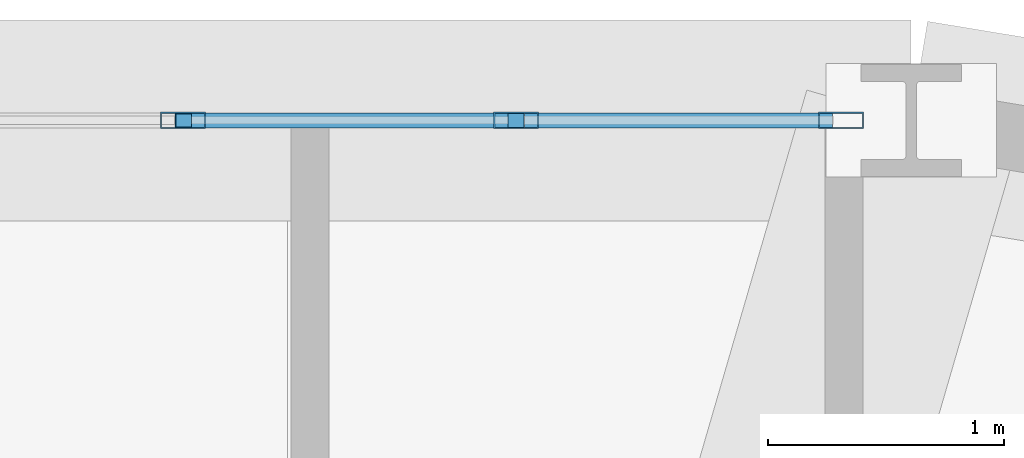
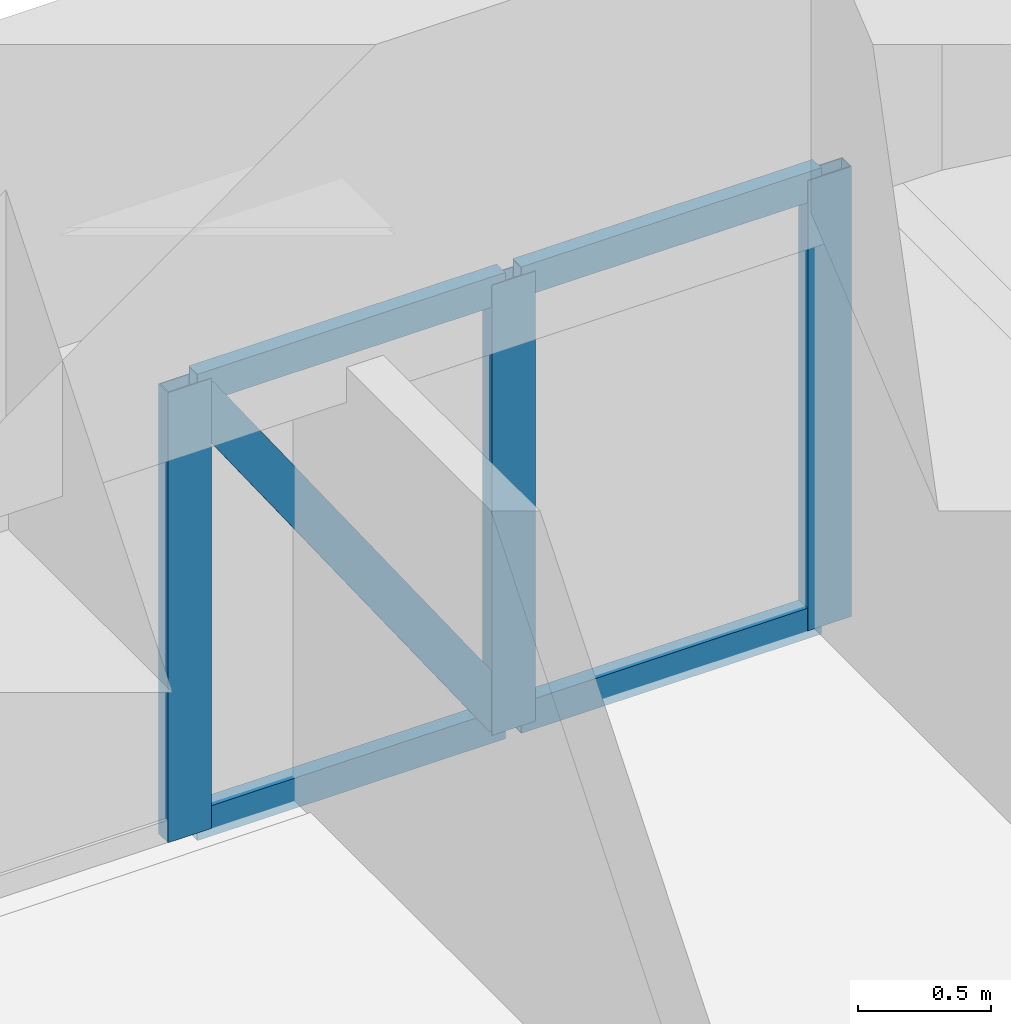
# One storey, part 12 of 18: 8 members, 1 element without a shape of its own.
"""IFC4 building model written with IfcOpenShell, lengths in metres."""

from ifc_helpers import new_model, si_unit, derived_unit, direction, frame, origin, origin_2d, place, context, subcontext, project, spatial, hollow_rectangle, extrude, source, transform, mapped, material, layer, layer_set, material_profile, profile_set, type_object, element, aggregate, save


model = new_model("IFC4")

# Units and contexts
model_context = context("Model", 3, precision=1e-05, world=origin(), true_north=direction((0.0, 1.0)))
body_context = subcontext(model_context, "Body", "Model", "MODEL_VIEW")
ifc_project = project(units=[si_unit("LENGTHUNIT", "METRE"), si_unit("AREAUNIT", "SQUARE_METRE"), si_unit("VOLUMEUNIT", "CUBIC_METRE"), si_unit("PLANEANGLEUNIT", "RADIAN"), si_unit("MASSUNIT", "GRAM", prefix="KILO"), derived_unit("THERMALTRANSMITTANCEUNIT", [(si_unit("POWERUNIT", "WATT"), 1), (si_unit("LENGTHUNIT", "METRE"), -2), (si_unit("THERMODYNAMICTEMPERATUREUNIT", "KELVIN"), -1)])], contexts=[model_context])

# Site, building, storey
site_placement = place(None, origin())
site = spatial("IfcSite", under=ifc_project, at=site_placement, CompositionType="ELEMENT")
building_placement = place(site_placement, origin())
building = spatial("IfcBuilding", under=site, at=building_placement, Name="Korsvarv Bourse and Concert Hall", CompositionType="ELEMENT")
storey_placement = place(building_placement, frame((0.0, 0.0, 95.10009765625)))
storey = spatial("IfcBuildingStorey", under=building, at=storey_placement, Name="L23", CompositionType="ELEMENT", Elevation=95.10009765625)

# Curtain wall, members
ifc_material_1 = material(Name="Anodised aluminium and triple low-E glazing", Category="glass")
ifc_layer = layer(ifc_material_1, 0.219970703125)
ifc_layer_set = layer_set([ifc_layer], Name="Anodised aluminium and triple low-E glazing")
curtain_wall_type = type_object("IfcCurtainWallType", Name="CW-SYS-1", PredefinedType="NOTDEFINED", material=ifc_layer_set)
curtain_wall_placement = place(storey_placement, origin())
curtain_wall = element("IfcCurtainWall", 1, at=curtain_wall_placement, inside=storey, type_object=curtain_wall_type, Name="L23 CW1 curtain wall CW-L23-F03", PredefinedType="NOTDEFINED")
ifc_material_2 = material(Name="Extruded aluminium EN AW-6063 T66", Category="aluminium")
ifc_material_profile_1 = material_profile(ifc_material_2, hollow_rectangle(XDim=0.070068359375, YDim=0.18994140625, WallThickness=0.0048828125, at=origin_2d()), Name="ALU-M 70x190")
ifc_profile_set_1 = profile_set([ifc_material_profile_1], Name="Extruded aluminium EN AW-6063 T66")
member_type_1 = type_object("IfcMemberType", Name="CWM-190", PredefinedType="MULLION", material=ifc_profile_set_1)
shared_shape_1 = source(origin(), body_context, "Body", "SweptSolid", [
    extrude(hollow_rectangle(XDim=0.070068359375, YDim=0.18994140625, WallThickness=0.0048828125, at=origin_2d()), origin(), (0.0, 0.0, 1.0), 2.06982421875),
])
member_1_placement = place(storey_placement, frame((47.2119140625, 55.35791015625, 0.0), z_axis=(0.0, 0.0, 1.0), x_axis=(0.0, -1.0, 0.0)))
member_1 = element("IfcMember", 2, at=member_1_placement, type_object=member_type_1, Name="CW1 mullion 1", PredefinedType="MULLION", context=body_context, shape_type="MappedRepresentation", body=[
    mapped(shared_shape_1, transform((0.0, 0.0, 0.0), scale=1.0)),
])
member_2_placement = place(storey_placement, frame((45.837646484375, 55.35791015625, 0.0), z_axis=(0.0, 0.0, 1.0), x_axis=(0.0, -1.0, 0.0)))
member_2 = element("IfcMember", 3, at=member_2_placement, type_object=member_type_1, Name="CW1 mullion 2", PredefinedType="MULLION", context=body_context, shape_type="MappedRepresentation", body=[
    mapped(shared_shape_1, transform((0.0, 0.0, 0.0), scale=1.0)),
])
member_3_placement = place(storey_placement, frame((44.42822265625, 55.35791015625, 0.0), z_axis=(0.0, 0.0, 1.0), x_axis=(0.0, -1.0, 0.0)))
member_3 = element("IfcMember", 4, at=member_3_placement, type_object=member_type_1, Name="CW1 mullion 3", PredefinedType="MULLION", context=body_context, shape_type="MappedRepresentation", body=[
    mapped(shared_shape_1, transform((0.0, 0.0, 0.0), scale=1.0)),
])
ifc_material_profile_2 = material_profile(ifc_material_2, hollow_rectangle(XDim=0.06494140625, YDim=0.139892578125, WallThickness=0.00390625, at=origin_2d()), Name="ALU-T 65x140")
ifc_profile_set_2 = profile_set([ifc_material_profile_2], Name="Extruded aluminium EN AW-6063 T66")
member_type_2 = type_object("IfcMemberType", Name="CWT-140", PredefinedType="USERDEFINED", material=ifc_profile_set_2)
shared_shape_2 = source(origin(), body_context, "Body", "SweptSolid", [
    extrude(hollow_rectangle(XDim=0.06494140625, YDim=0.139892578125, WallThickness=0.00390625, at=origin_2d()), origin(), (0.0, 0.0, 1.0), 1.304443359375),
])
member_4_placement = place(storey_placement, frame((47.177001953125, 55.35791015625, 0.032470703125), z_axis=(-1.0, 0.0, 0.0), x_axis=(0.0, -1.0, 0.0)))
member_4 = element("IfcMember", 5, at=member_4_placement, type_object=member_type_2, Name="CW1 transom 1.1", ObjectType="TRANSOM", PredefinedType="USERDEFINED", context=body_context, shape_type="MappedRepresentation", body=[
    mapped(shared_shape_2, transform((0.0, 0.0, 0.0), scale=1.0)),
])
member_5_placement = place(storey_placement, frame((47.177001953125, 55.35791015625, 2.037353515625), z_axis=(-1.0, 0.0, 0.0), x_axis=(0.0, -1.0, 0.0)))
member_5 = element("IfcMember", 6, at=member_5_placement, type_object=member_type_2, Name="CW1 transom 1.2", ObjectType="TRANSOM", PredefinedType="USERDEFINED", context=body_context, shape_type="MappedRepresentation", body=[
    mapped(shared_shape_2, transform((0.0, 0.0, 0.0), scale=1.0)),
])
shared_shape_3 = source(origin(), body_context, "Body", "SweptSolid", [
    extrude(hollow_rectangle(XDim=0.06494140625, YDim=0.139892578125, WallThickness=0.00390625, at=origin_2d()), origin(), (0.0, 0.0, 1.0), 1.33935546875),
])
member_6_placement = place(storey_placement, frame((45.802490234375, 55.35791015625, 0.032470703125), z_axis=(-1.0, 0.0, 0.0), x_axis=(0.0, -1.0, 0.0)))
member_6 = element("IfcMember", 7, at=member_6_placement, type_object=member_type_2, Name="CW1 transom 2.1", ObjectType="TRANSOM", PredefinedType="USERDEFINED", context=body_context, shape_type="MappedRepresentation", body=[
    mapped(shared_shape_3, transform((0.0, 0.0, 0.0), scale=1.0)),
])
member_7_placement = place(storey_placement, frame((45.802490234375, 55.35791015625, 2.037353515625), z_axis=(-1.0, 0.0, 0.0), x_axis=(0.0, -1.0, 0.0)))
member_7 = element("IfcMember", 8, at=member_7_placement, type_object=member_type_2, Name="CW1 transom 2.2", ObjectType="TRANSOM", PredefinedType="USERDEFINED", context=body_context, shape_type="MappedRepresentation", body=[
    mapped(shared_shape_3, transform((0.0, 0.0, 0.0), scale=1.0)),
])
ifc_material_profile_3 = material_profile(ifc_material_2, hollow_rectangle(XDim=0.06494140625, YDim=0.1650390625, WallThickness=0.0048828125, at=origin_2d()), Name="ALU-M 65x165")
ifc_profile_set_3 = profile_set([ifc_material_profile_3], Name="Extruded aluminium EN AW-6063 T66")
member_type_3 = type_object("IfcMemberType", Name="CWM-165", PredefinedType="MULLION", material=ifc_profile_set_3)
shared_shape_4 = source(origin(), body_context, "Body", "SweptSolid", [
    extrude(hollow_rectangle(XDim=0.06494140625, YDim=0.1650390625, WallThickness=0.0048828125, at=origin_2d()), origin(), (0.0, 0.0, 1.0), 2.357421875),
])
member_8_placement = place(storey_placement, frame((45.802490234375, 55.35791015625, 0.06494140625), z_axis=(-0.568153981986, 0.0, 0.822922264101), x_axis=(0.0, -1.0, 0.0)))
member_8 = element("IfcMember", 9, at=member_8_placement, type_object=member_type_3, Name="CW1 diagonal mullion 2", PredefinedType="MULLION", context=body_context, shape_type="MappedRepresentation", body=[
    mapped(shared_shape_4, transform((0.0, 0.0, 0.0), scale=1.0)),
])
aggregate(curtain_wall, [member_1, member_2, member_3, member_4, member_5, member_6, member_7, member_8])

save(model, "model.ifc")
